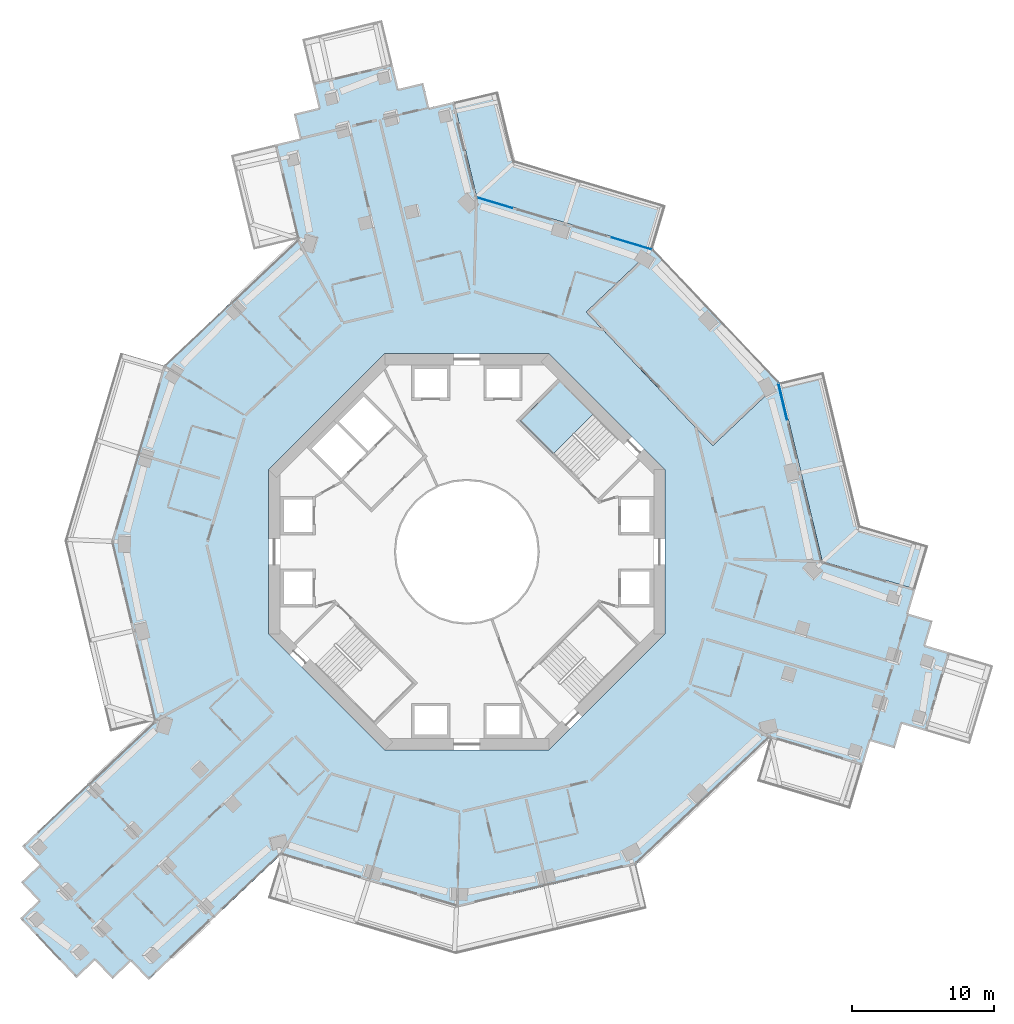
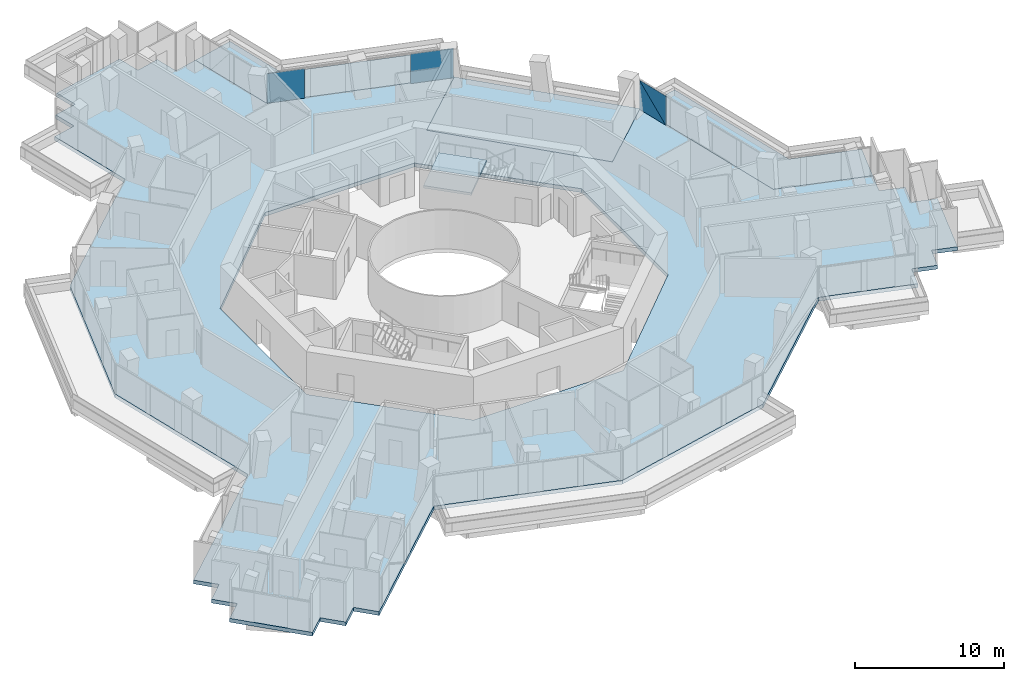
# One storey, part 16 of 27: 5 slabs, 4 plates, 3 elements without a shape of their own.
"""IFC4 building model written with IfcOpenShell, lengths in metres."""

from ifc_helpers import new_model, si_unit, direction, frame, origin, origin_2d, place, context, subcontext, project, spatial, polyline, rectangle, outline, extrude, material, layer, layer_set, type_object, element, aggregate, save


model = new_model("IFC4")

# Units and contexts
model_context = context("Model", 3, precision=1e-05, world=origin(), true_north=direction((0.0, 1.0)))
body_context = subcontext(model_context, "Body", "Model", "MODEL_VIEW")
ifc_project = project(units=[si_unit("LENGTHUNIT", "METRE"), si_unit("AREAUNIT", "SQUARE_METRE"), si_unit("VOLUMEUNIT", "CUBIC_METRE"), si_unit("PLANEANGLEUNIT", "RADIAN"), si_unit("MASSUNIT", "GRAM", prefix="KILO")], contexts=[model_context])

# Site, building, storey
site_placement = place(None, origin())
site = spatial("IfcSite", under=ifc_project, at=site_placement, CompositionType="ELEMENT")
building_placement = place(site_placement, origin())
building = spatial("IfcBuilding", under=site, at=building_placement, Name="Verdalira Terraces Hotel", CompositionType="ELEMENT")
storey_placement = place(building_placement, frame((0.0, 0.0, 89.5)))
storey = spatial("IfcBuildingStorey", under=building, at=storey_placement, Name="L20", CompositionType="ELEMENT", Elevation=89.5)

# Slabs
ifc_material_1 = material(Name="Precast concrete C40/50", Category="concrete")
ifc_layer_1 = layer(ifc_material_1, 0.31005859375)
ifc_layer_set_1 = layer_set([ifc_layer_1], Name="Balcony deck 310")
slab_type_1 = type_object("IfcSlabType", Name="Balcony deck 310", PredefinedType="FLOOR", material=ifc_layer_set_1)
slab_1_placement = place(storey_placement, frame((0.0, 0.0, -0.310059)))
element("IfcSlab", 1, at=slab_1_placement, inside=storey, type_object=slab_type_1, Name="Balcony deck", PredefinedType="FLOOR", context=body_context, shape_type="SweptSolid", body=[
    extrude(outline(polyline([(25.195557, 12.704102), (22.083252, 11.960205), (25.104736, -0.683594), (31.684814, -2.640381), (32.596924, 0.427002), (27.787598, 1.856934), (25.195557, 12.704102)])), origin(), (0.0, 0.0, 1.0), 0.310059),
])
slab_2_placement = place(storey_placement, frame((0.0, 0.0, -0.310059)))
element("IfcSlab", 2, at=slab_2_placement, inside=storey, type_object=slab_type_1, Name="Balcony deck", PredefinedType="FLOOR", context=body_context, shape_type="SweptSolid", body=[
    extrude(outline(polyline([(2.200439, 32.525391), (-0.911865, 31.781494), (0.683594, 25.104736), (13.144531, 21.399414), (14.056641, 24.466797), (3.366699, 27.645508), (2.200439, 32.525391)])), origin(), (0.0, 0.0, 1.0), 0.310059),
])

# Curtain wall, plates
ifc_material_2 = material(Name="Clear glass", Category="glass")
ifc_layer_2 = layer(ifc_material_2, 0.14990234375)
ifc_layer_set_2 = layer_set([ifc_layer_2], Name="CW1 curtain wall")
curtain_wall_type = type_object("IfcCurtainWallType", Name="CW1 curtain wall", PredefinedType="NOTDEFINED", material=ifc_layer_set_2)
curtain_wall_1_placement = place(storey_placement, origin())
curtain_wall_1 = element("IfcCurtainWall", 3, at=curtain_wall_1_placement, inside=storey, type_object=curtain_wall_type, Name="CW1 curtain wall L20 edge 39", PredefinedType="NOTDEFINED")
ifc_material_3 = material(Name="Clear glass", Category="glass")
ifc_layer_3 = layer(ifc_material_3, 0.028076171875)
ifc_layer_set_3 = layer_set([ifc_layer_3], Name="CW1 glass unit 28")
plate_type = type_object("IfcPlateType", Name="CW1 glass unit 28", PredefinedType="CURTAIN_PANEL", material=ifc_layer_set_3)
plate_1_placement = place(storey_placement, frame((22.313232, 10.614746, 1.212402), z_axis=(0.972613851, 0.232426973, 0.0), x_axis=(-0.232426973, 0.972613851, 0.0)))
plate_1 = element("IfcPlate", 4, at=plate_1_placement, type_object=plate_type, Name="CW1 glass unit", PredefinedType="CURTAIN_PANEL", context=body_context, shape_type="SweptSolid", body=[
    extrude(outline(polyline([(-1.302246, -1.212402), (1.302246, -1.212402), (1.302246, 1.212402), (-1.302246, -1.212402)])), origin(), (0.0, 0.0, 1.0), 0.028076),
])
plate_2_placement = place(storey_placement, frame((22.284912, 10.60791, 1.212402), z_axis=(0.972613851, 0.232426973, 0.0), x_axis=(-0.232426973, 0.972613851, 0.0)))
plate_2 = element("IfcPlate", 5, at=plate_2_placement, type_object=plate_type, Name="CW1 glass unit", PredefinedType="CURTAIN_PANEL", context=body_context, shape_type="SweptSolid", body=[
    extrude(outline(polyline([(-1.302246, -1.212402), (1.302246, 1.212402), (-1.302246, 1.212402), (-1.302246, -1.212402)])), origin(), (0.0, 0.0, 1.0), 0.028076),
])
aggregate(curtain_wall_1, [plate_1, plate_2])

curtain_wall_2_placement = place(storey_placement, origin())
curtain_wall_2 = element("IfcCurtainWall", 6, at=curtain_wall_2_placement, inside=storey, type_object=curtain_wall_type, Name="CW1 curtain wall L20 edge 41", PredefinedType="NOTDEFINED")
plate_3_placement = place(storey_placement, frame((11.644531, 21.767334, 0.0), z_axis=(0.0, 0.0, 1.0), x_axis=(-0.958521789, 0.285019262, 0.0)))
plate_3 = element("IfcPlate", 7, at=plate_3_placement, type_object=plate_type, Name="CW1 glass unit", PredefinedType="CURTAIN_PANEL", context=body_context, shape_type="SweptSolid", body=[
    extrude(rectangle(XDim=2.965088, YDim=0.028076, at=origin_2d()), origin(), (0.0, 0.0, 1.0), 2.425049),
])
plate_4_placement = place(storey_placement, frame((1.968018, 24.644531, 0.0), z_axis=(0.0, 0.0, 1.0), x_axis=(-0.958521789, 0.285019262, 0.0)))
plate_4 = element("IfcPlate", 8, at=plate_4_placement, type_object=plate_type, Name="CW1 glass unit", PredefinedType="CURTAIN_PANEL", context=body_context, shape_type="SweptSolid", body=[
    extrude(rectangle(XDim=2.604492, YDim=0.028076, at=origin_2d()), origin(), (0.0, 0.0, 1.0), 2.425049),
])
aggregate(curtain_wall_2, [plate_3, plate_4])

# Stair, slab
ifc_material_4 = material(Name="Concrete C40", Category="concrete")
stair_type = type_object("IfcStairType", Name="Core stair 20 risers 1950 mm wide", PredefinedType="HALF_TURN_STAIR", material=ifc_material_4)
stair_placement = place(storey_placement, origin())
stair = element("IfcStair", 9, at=stair_placement, inside=storey, type_object=stair_type, Name="L20 Exit stair ST1", PredefinedType="HALF_TURN_STAIR")
ifc_material_5 = material(Name="Concrete C40", Category="concrete")
ifc_layer_4 = layer(ifc_material_5, 0.199951171875)
ifc_layer_set_4 = layer_set([ifc_layer_4], Name="Core stair landing 200 mm")
slab_type_2 = type_object("IfcSlabType", Name="Core stair landing 200 mm", PredefinedType="LANDING", material=ifc_layer_set_4)
slab_3_placement = place(storey_placement, frame((0.0, 0.0, 1.550049)))
slab_3 = element("IfcSlab", 10, at=slab_3_placement, type_object=slab_type_2, Name="ST1 landing 1", PredefinedType="LANDING", context=body_context, shape_type="SweptSolid", body=[
    extrude(outline(polyline([(8.931152, 9.736572), (6.576172, 12.091553), (3.747559, 9.263184), (6.102783, 6.907959), (8.931152, 9.736572)])), origin(), (0.0, 0.0, 1.0), 0.199951),
])
aggregate(stair, [slab_3])

# Slabs
ifc_material_6 = material(Name="Concrete C40", Category="concrete")
ifc_layer_5 = layer(ifc_material_6, 0.31005859375)
ifc_layer_set_5 = layer_set([ifc_layer_5], Name="Floor slab 310 C40")
slab_type_3 = type_object("IfcSlabType", Name="Floor slab 310 C40", PredefinedType="FLOOR", material=ifc_layer_set_5)
slab_4_placement = place(storey_placement, frame((0.0, 0.0, -0.310059)))
element("IfcSlab", 11, at=slab_4_placement, inside=storey, type_object=slab_type_3, Name="Floor slab L20", PredefinedType="FLOOR", context=body_context, shape_type="SweptSolid", body=[
    extrude(outline(polyline([(31.684814, -2.640381), (25.104736, -0.683594), (22.083252, 11.959717), (17.363525, 7.490234), (8.424316, 16.930176), (13.143799, 21.399658), (0.683594, 25.104736), (-0.911865, 31.781494), (-2.662598, 31.363281), (-3.080811, 33.114014), (-4.831543, 32.695557), (-5.25, 34.446289), (-10.891113, 33.098145), (-10.4729, 31.347412), (-12.223389, 30.929199), (-11.805176, 29.178467), (-13.555908, 28.76001), (-11.960205, 22.083252), (-21.399414, 13.144531), (-25.104736, 0.683594), (-22.083252, -11.960205), (-31.424316, -20.805908), (-30.186523, -22.113037), (-31.493652, -23.350586), (-30.255859, -24.657715), (-31.562988, -25.895264), (-27.574707, -30.106689), (-26.267822, -28.868896), (-25.030273, -30.176025), (-23.723145, -28.938232), (-22.485596, -30.245361), (-13.144531, -21.399414), (-0.683594, -25.104736), (11.960205, -22.083252), (21.399414, -13.144531), (27.979492, -15.101074), (28.492676, -13.375732), (30.218018, -13.888916), (30.730957, -12.16333), (32.456299, -12.676514), (34.109375, -7.116943), (32.384033, -6.604004), (32.897217, -4.878662), (31.171875, -4.365479), (31.684814, -2.640381)]), holes=[polyline([(5.799072, 14.0), (14.0, 5.799072), (14.0, -5.799072), (5.799072, -14.0), (-5.799072, -14.0), (-14.0, -5.799072), (-14.0, 5.799072), (-5.799072, 14.0), (5.799072, 14.0)])]), origin(), (0.0, 0.0, 1.0), 0.310059),
])
ifc_material_7 = material(Name="Concrete C40", Category="concrete")
ifc_layer_6 = layer(ifc_material_7, 0.31005859375)
ifc_layer_set_6 = layer_set([ifc_layer_6], Name="Loggia floor deck 310 C40")
slab_type_4 = type_object("IfcSlabType", Name="Loggia floor deck 310 C40", PredefinedType="FLOOR", material=ifc_layer_set_6)
slab_5_placement = place(storey_placement, frame((0.0, 0.0, -0.310059)))
element("IfcSlab", 12, at=slab_5_placement, inside=storey, type_object=slab_type_4, Name="Loggia deck L20", PredefinedType="FLOOR", context=body_context, shape_type="SweptSolid", body=[
    extrude(outline(polyline([(17.363525, 7.490967), (22.083252, 11.960205), (13.144531, 21.399414), (8.424805, 16.930176), (17.363525, 7.490967)])), origin(), (0.0, 0.0, 1.0), 0.310059),
])

save(model, "model.ifc")
